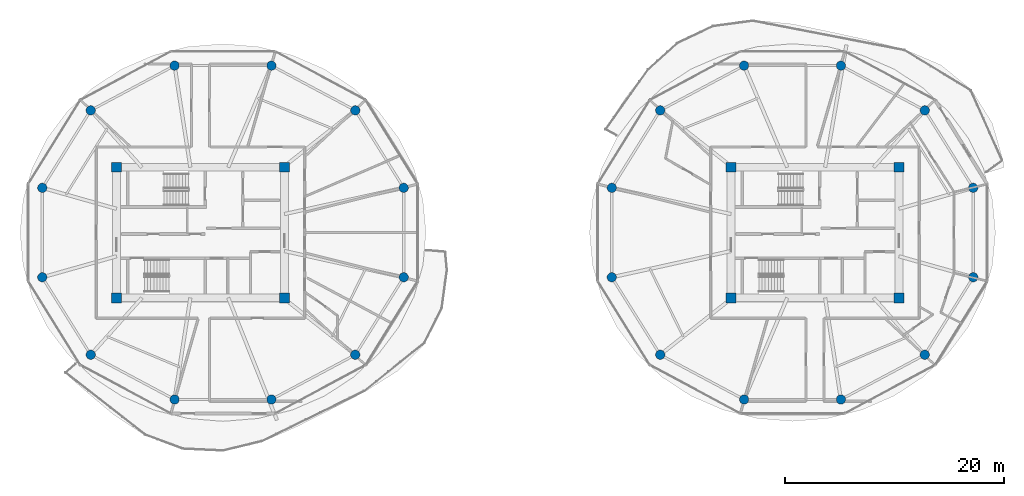
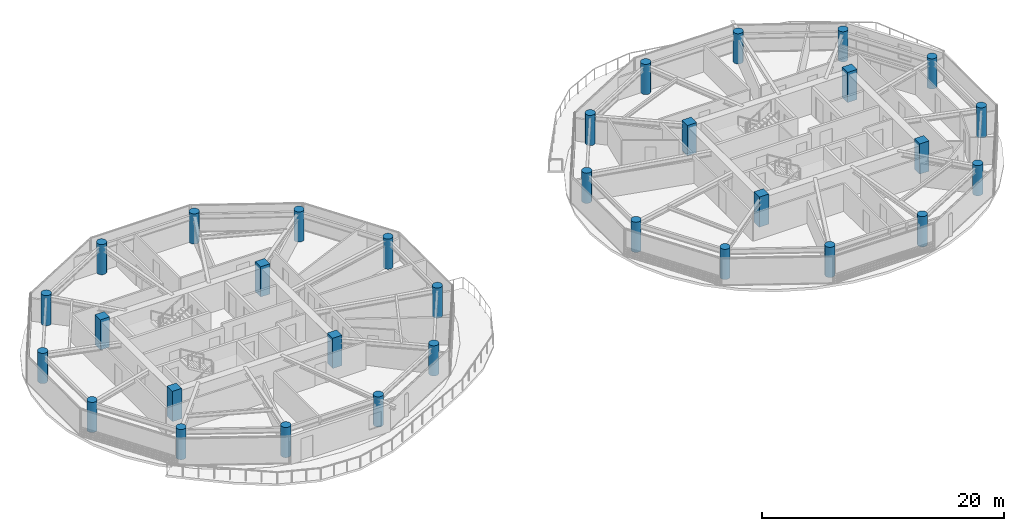
# One storey, part 1 of 24: 32 columns.
"""IFC4 building model written with IfcOpenShell, lengths in metres."""

from ifc_helpers import new_model, si_unit, direction, frame, origin, origin_2d, place, context, subcontext, project, spatial, rectangle, circle, extrude, source, transform, mapped, material, material_profile, profile_set, type_object, type_shapes, element, save


model = new_model("IFC4")

# Units and contexts
model_context = context("Model", 3, precision=1e-05, world=origin(), true_north=direction((0.0, 1.0)))
body_context = subcontext(model_context, "Body", "Model", "MODEL_VIEW")
ifc_project = project(units=[si_unit("LENGTHUNIT", "METRE"), si_unit("AREAUNIT", "SQUARE_METRE"), si_unit("VOLUMEUNIT", "CUBIC_METRE"), si_unit("PLANEANGLEUNIT", "RADIAN"), si_unit("MASSUNIT", "GRAM", prefix="KILO")], contexts=[model_context])

# Site, building, storey
site_placement = place(None, origin())
site = spatial("IfcSite", under=ifc_project, at=site_placement, CompositionType="ELEMENT")
building_placement = place(site_placement, origin())
building = spatial("IfcBuilding", under=site, at=building_placement, Name="Norrkilde Senior Care Towers", CompositionType="ELEMENT")
storey_placement = place(building_placement, frame((0.0, 0.0, 117.60009765625)))
storey = spatial("IfcBuildingStorey", under=building, at=storey_placement, Name="L36", CompositionType="ELEMENT", Elevation=117.60009765625)

# Columns
ifc_material = material(Name="Concrete C60/75", Category="concrete")
ifc_material_profile_1 = material_profile(ifc_material, rectangle(XDim=0.89990234375, YDim=0.89990234375, at=origin_2d()), Name="RC COL 900x900")
ifc_profile_set_1 = profile_set([ifc_material_profile_1], Name="Concrete C60/75")
column_type_1 = type_object("IfcColumnType", Name="Column Core Corner Z1-Z2 900", PredefinedType="COLUMN", material=ifc_profile_set_1)
shared_shape_1 = source(origin(), body_context, "Body", "SweptSolid", [
    extrude(rectangle(XDim=0.89990234375, YDim=0.89990234375, at=origin_2d()), origin(), (0.0, 0.0, 1.0), 3.0498046875),
])
type_shapes(column_type_1, [shared_shape_1])
for number, where, z_axis, x_axis, name in (
    (1, (-35.64990234375, -5.949951171875, 0.0), (0.0, 0.0, 1.0), (1.0, 0.0, 0.0), "L36 Core W Corner Column 1"),
    (2, (-20.35009765625, -5.949951171875, 0.0), (0.0, 0.0, 1.0), (1.0, 0.0, 0.0), "L36 Core W Corner Column 2"),
    (3, (-20.35009765625, 5.949951171875, 0.0), (0.0, 0.0, 1.0), (1.0, 0.0, 0.0), "L36 Core W Corner Column 3"),
    (4, (-35.64990234375, 5.949951171875, 0.0), (0.0, 0.0, 1.0), (1.0, 0.0, 0.0), "L36 Core W Corner Column 4"),
    (5, (20.35009765625, -5.949951171875, 0.0), (0.0, 0.0, 1.0), (1.0, 0.0, 0.0), "L36 Core E Corner Column 1"),
    (6, (35.64990234375, -5.949951171875, 0.0), (0.0, 0.0, 1.0), (1.0, 0.0, 0.0), "L36 Core E Corner Column 2"),
    (7, (35.64990234375, 5.949951171875, 0.0), (0.0, 0.0, 1.0), (1.0, 0.0, 0.0), "L36 Core E Corner Column 3"),
    (8, (20.35009765625, 5.949951171875, 0.0), (0.0, 0.0, 1.0), (1.0, 0.0, 0.0), "L36 Core E Corner Column 4"),
):
    element("IfcColumn", number, at=place(storey_placement, frame(where, z_axis=z_axis, x_axis=x_axis)), inside=storey, type_object=column_type_1, Name=name, PredefinedType="COLUMN", context=body_context, shape_type="MappedRepresentation", body=[
        mapped(shared_shape_1, transform((0.0, 0.0, 0.0), x_axis=(1.0, 0.0, 0.0), y_axis=(0.0, 1.0, 0.0), z_axis=(0.0, 0.0, 1.0), scale=1.0)),
    ])
ifc_material_profile_2 = material_profile(ifc_material, circle(Radius=0.425048828125, at=origin_2d()), Name="RC CIR 850")
ifc_profile_set_2 = profile_set([ifc_material_profile_2], Name="Concrete C60/75")
column_type_2 = type_object("IfcColumnType", Name="Column Perimeter Z2 850", PredefinedType="COLUMN", material=ifc_profile_set_2)
shared_shape_2 = source(origin(), body_context, "Body", "SweptSolid", [
    extrude(circle(Radius=0.425048828125, at=origin_2d()), origin(), (0.0, 0.0, 1.0), 3.0498046875),
])
type_shapes(column_type_2, [shared_shape_2])
for number, where, z_axis, x_axis, name in (
    (9, (-9.48095703125, 4.076416015625, 0.0), (0.0, 0.0, 1.0), (1.0, 0.0, 0.0), "L36 Drum W Perimeter Column 01"),
    (10, (-13.893798828125, 11.136962890625, 0.0), (0.0, 0.0, 1.0), (1.0, 0.0, 0.0), "L36 Drum W Perimeter Column 02"),
    (11, (-21.537109375, 15.21337890625, 0.0), (0.0, 0.0, 1.0), (1.0, 0.0, 0.0), "L36 Drum W Perimeter Column 03"),
    (12, (-30.36279296875, 15.21337890625, 0.0), (0.0, 0.0, 1.0), (1.0, 0.0, 0.0), "L36 Drum W Perimeter Column 04"),
    (13, (-38.006103515625, 11.136962890625, 0.0), (0.0, 0.0, 1.0), (1.0, 0.0, 0.0), "L36 Drum W Perimeter Column 05"),
    (14, (-42.4189453125, 4.076416015625, 0.0), (0.0, 0.0, 1.0), (1.0, 0.0, 0.0), "L36 Drum W Perimeter Column 06"),
    (15, (-42.4189453125, -4.076416015625, 0.0), (0.0, 0.0, 1.0), (1.0, 0.0, 0.0), "L36 Drum W Perimeter Column 07"),
    (16, (-38.006103515625, -11.136962890625, 0.0), (0.0, 0.0, 1.0), (1.0, 0.0, 0.0), "L36 Drum W Perimeter Column 08"),
    (17, (-30.36279296875, -15.21337890625, 0.0), (0.0, 0.0, 1.0), (1.0, 0.0, 0.0), "L36 Drum W Perimeter Column 09"),
    (18, (-21.537109375, -15.21337890625, 0.0), (0.0, 0.0, 1.0), (1.0, 0.0, 0.0), "L36 Drum W Perimeter Column 10"),
    (19, (-13.893798828125, -11.136962890625, 0.0), (0.0, 0.0, 1.0), (1.0, 0.0, 0.0), "L36 Drum W Perimeter Column 11"),
    (20, (-9.48095703125, -4.076416015625, 0.0), (0.0, 0.0, 1.0), (1.0, 0.0, 0.0), "L36 Drum W Perimeter Column 12"),
    (21, (42.4189453125, 4.076416015625, 0.0), (0.0, 0.0, 1.0), (1.0, 0.0, 0.0), "L36 Drum E Perimeter Column 01"),
    (22, (38.006103515625, 11.136962890625, 0.0), (0.0, 0.0, 1.0), (1.0, 0.0, 0.0), "L36 Drum E Perimeter Column 02"),
    (23, (30.36279296875, 15.21337890625, 0.0), (0.0, 0.0, 1.0), (1.0, 0.0, 0.0), "L36 Drum E Perimeter Column 03"),
    (24, (21.537109375, 15.21337890625, 0.0), (0.0, 0.0, 1.0), (1.0, 0.0, 0.0), "L36 Drum E Perimeter Column 04"),
    (25, (13.893798828125, 11.136962890625, 0.0), (0.0, 0.0, 1.0), (1.0, 0.0, 0.0), "L36 Drum E Perimeter Column 05"),
    (26, (9.48095703125, 4.076416015625, 0.0), (0.0, 0.0, 1.0), (1.0, 0.0, 0.0), "L36 Drum E Perimeter Column 06"),
    (27, (9.48095703125, -4.076416015625, 0.0), (0.0, 0.0, 1.0), (1.0, 0.0, 0.0), "L36 Drum E Perimeter Column 07"),
    (28, (13.893798828125, -11.136962890625, 0.0), (0.0, 0.0, 1.0), (1.0, 0.0, 0.0), "L36 Drum E Perimeter Column 08"),
    (29, (21.537109375, -15.21337890625, 0.0), (0.0, 0.0, 1.0), (1.0, 0.0, 0.0), "L36 Drum E Perimeter Column 09"),
    (30, (30.36279296875, -15.21337890625, 0.0), (0.0, 0.0, 1.0), (1.0, 0.0, 0.0), "L36 Drum E Perimeter Column 10"),
    (31, (38.006103515625, -11.136962890625, 0.0), (0.0, 0.0, 1.0), (1.0, 0.0, 0.0), "L36 Drum E Perimeter Column 11"),
    (32, (42.4189453125, -4.076416015625, 0.0), (0.0, 0.0, 1.0), (1.0, 0.0, 0.0), "L36 Drum E Perimeter Column 12"),
):
    element("IfcColumn", number, at=place(storey_placement, frame(where, z_axis=z_axis, x_axis=x_axis)), inside=storey, type_object=column_type_2, Name=name, PredefinedType="COLUMN", context=body_context, shape_type="MappedRepresentation", body=[
        mapped(shared_shape_2, transform((0.0, 0.0, 0.0), x_axis=(1.0, 0.0, 0.0), y_axis=(0.0, 1.0, 0.0), z_axis=(0.0, 0.0, 1.0), scale=1.0)),
    ])

save(model, "model.ifc")
